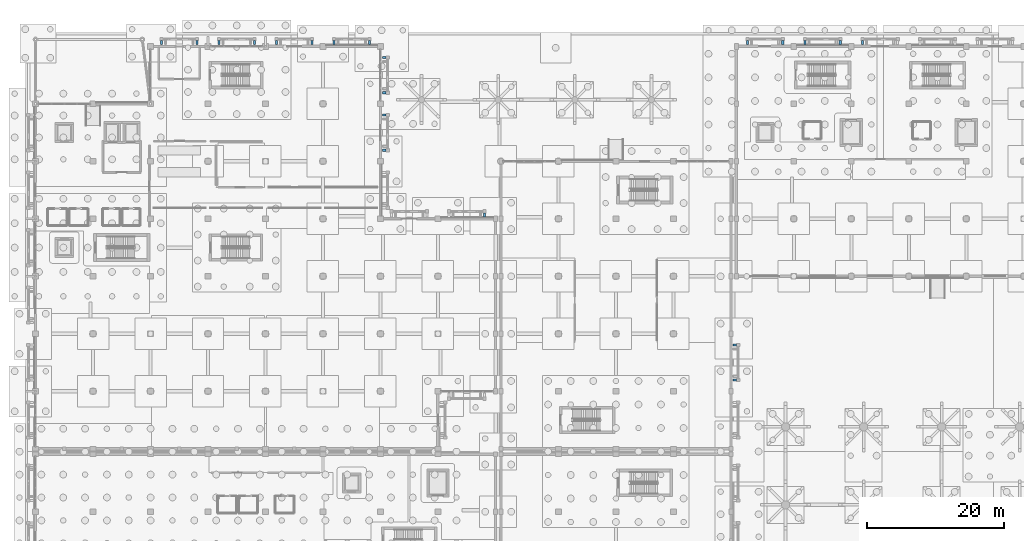
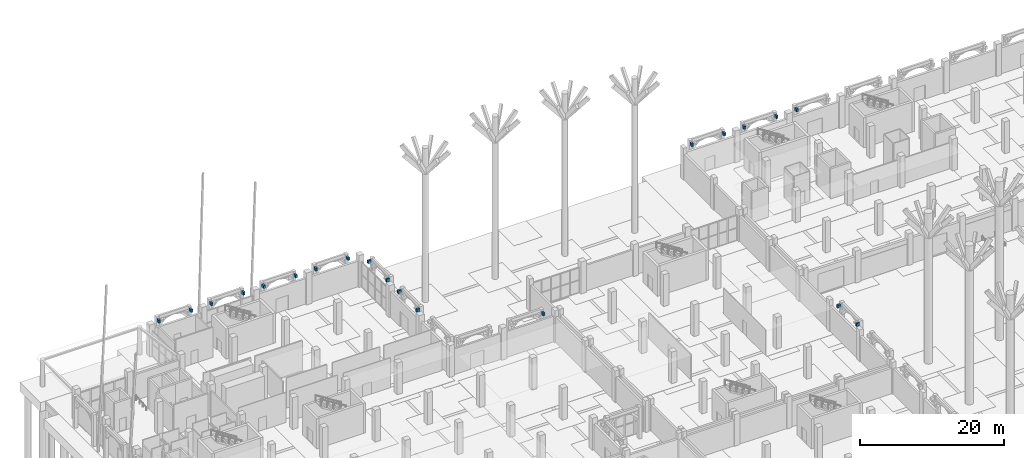
# One storey, part 48 of 98: 20 beams.
"""IFC4 building model written with IfcOpenShell, lengths in metres."""

import ifcopenshell
import ifcopenshell.guid

model = None  # the IFC model being written
_history = None  # IfcOwnerHistory: only IFC2X3 demands one
_inside = {}  # id of a spatial element -> (the spatial element, [elements in it])
_under = {}  # id of a project, library or spatial element -> (it, [spatial elements below it])
_declared = {}  # id of a project -> (the project, [libraries it declares])
_typed = {}  # id of a type object -> (the type object, [elements of that type])
_made_of = {}  # id of a material, layer set ... -> (it, [elements and type objects made of it])


def new_model(schema):
    """Start an empty IFC model of exactly this schema.

    Asked for "IFC4X3", IfcOpenShell would pick the latest addendum, in which some entities
    have other attributes; the version numbers below select the first issue.
    IFC2X3 requires an IfcOwnerHistory on every rooted entity: one is made here for all.
    """
    global model, _history
    if schema == "IFC4X3":
        model = ifcopenshell.file(schema_version=(4, 3, 0, 0))
    else:
        model = ifcopenshell.file(schema=schema)
    _inside.clear()
    _under.clear()
    _declared.clear()
    _typed.clear()
    _made_of.clear()
    _history = None
    if model.schema == "IFC2X3":
        org = make("IfcOrganization", Name="unknown")
        user = make(
            "IfcPersonAndOrganization",
            ThePerson=make("IfcPerson", FamilyName="unknown"),
            TheOrganization=org,
        )
        app = make(
            "IfcApplication",
            ApplicationDeveloper=org,
            Version="unknown",
            ApplicationFullName="unknown",
            ApplicationIdentifier="unknown",
        )
        _history = make(
            "IfcOwnerHistory",
            OwningUser=user,
            OwningApplication=app,
            ChangeAction="ADDED",
            CreationDate=0,
        )
    return model


def make(cls, **values):
    """One entity of the class cls with the attributes given. An attribute that is None is left unset."""
    return model.create_entity(
        cls, **{name: value for name, value in values.items() if value is not None}
    )


def rooted(cls, **values):
    """An entity with a GlobalId (a new one), such as an element, a storey or a relation."""
    return make(cls, GlobalId=ifcopenshell.guid.new(), OwnerHistory=_history, **values)


def si_unit(unit_type, name, prefix=None):
    """IfcSIUnit, for example si_unit("LENGTHUNIT", "METRE", prefix="MILLI")."""
    return make("IfcSIUnit", UnitType=unit_type, Prefix=prefix, Name=name)


def assignment(units):
    """IfcUnitAssignment: the units of a project."""
    return None if units is None else make("IfcUnitAssignment", Units=units)


def point(xyz):
    """IfcCartesianPoint."""
    return None if xyz is None else make("IfcCartesianPoint", Coordinates=xyz)


def direction(xyz):
    """IfcDirection."""
    return None if xyz is None else make("IfcDirection", DirectionRatios=xyz)


def frame(location, z_axis=None, x_axis=None):
    """IfcAxis2Placement3D, a coordinate frame: its origin and axes. An axis left out is left unset."""
    return make(
        "IfcAxis2Placement3D",
        Location=point(location),
        Axis=direction(z_axis),
        RefDirection=direction(x_axis),
    )


def frame_2d(location, x_axis=None):
    """IfcAxis2Placement2D, a coordinate frame in the plane: its origin and x axis."""
    return make(
        "IfcAxis2Placement2D", Location=point(location), RefDirection=direction(x_axis)
    )


def origin():
    """The frame at (0, 0, 0) with its axes left unset."""
    return frame((0.0, 0.0, 0.0))


def origin_2d():
    """The frame at (0, 0) in the plane with its x axis left unset."""
    return frame_2d((0.0, 0.0))


def place(relative_to, where):
    """IfcLocalPlacement: puts the frame where relative to a parent placement (None: the world)."""
    return make(
        "IfcLocalPlacement", PlacementRelTo=relative_to, RelativePlacement=where
    )


def context(
    kind, dimensions, precision=None, world=None, true_north=None, identifier=None
):
    """IfcGeometricRepresentationContext, for example the 3D "Model" context."""
    return make(
        "IfcGeometricRepresentationContext",
        ContextIdentifier=identifier,
        ContextType=kind,
        CoordinateSpaceDimension=dimensions,
        Precision=precision,
        WorldCoordinateSystem=world,
        TrueNorth=true_north,
    )


def subcontext(parent, identifier, kind, view, scale=None):
    """IfcGeometricRepresentationSubContext, for example "Body" below "Model"."""
    return make(
        "IfcGeometricRepresentationSubContext",
        ContextIdentifier=identifier,
        ContextType=kind,
        ParentContext=parent,
        TargetScale=scale,
        TargetView=view,
    )


def project(units=None, contexts=None):
    """IfcProject with its units and contexts."""
    return rooted(
        "IfcProject",
        Name="project",
        RepresentationContexts=contexts,
        UnitsInContext=assignment(units),
    )


def spatial(cls, under=None, at=None, **own):
    """A site, building, storey or space (cls), placed at a placement, below another one or the project."""
    s = rooted(cls, ObjectPlacement=at, **own)
    if under is not None:
        _under.setdefault(under.id(), (under, []))[1].append(s)
    return s


def profile(cls, at=None, kind="AREA", **sizes):
    """A parametric profile (cls). Its sizes go by their IFC names, for example OverallWidth=200.0."""
    return make(cls, ProfileType=kind, Position=at, **sizes)


def rectangle(**sizes):
    """IfcRectangleProfileDef."""
    return profile("IfcRectangleProfileDef", **sizes)


def extrude(swept, where, along, depth):
    """IfcExtrudedAreaSolid: the profile swept, set in the frame where, extruded along a direction by depth."""
    return make(
        "IfcExtrudedAreaSolid",
        SweptArea=swept,
        Position=where,
        ExtrudedDirection=direction(along),
        Depth=depth,
    )


def shape(context_of_items, identifier, shape_type, items):
    """IfcShapeRepresentation: the items that make up one representation, for example the "Body"."""
    return make(
        "IfcShapeRepresentation",
        ContextOfItems=context_of_items,
        RepresentationIdentifier=identifier,
        RepresentationType=shape_type,
        Items=items,
    )


def material(Name=None, Category=None):
    """IfcMaterial."""
    return make("IfcMaterial", Name=Name, Category=Category)


def material_profile(
    of_material, cross_section, Name=None, Category=None, Priority=None
):
    """IfcMaterialProfile: a cross section and its material."""
    return make(
        "IfcMaterialProfile",
        Name=Name,
        Material=of_material,
        Profile=cross_section,
        Priority=Priority,
        Category=Category,
    )


def profile_set(profiles, Name=None, composite=None):
    """IfcMaterialProfileSet."""
    return make(
        "IfcMaterialProfileSet",
        Name=Name,
        MaterialProfiles=profiles,
        CompositeProfile=composite,
    )


def made_of(thing, what):
    """Note that an element or type object is made of a material, layer set ...; save() writes the relation."""
    if what is not None:
        _made_of.setdefault(what.id(), (what, []))[1].append(thing)
    return thing


def type_object(cls, material=None, **own):
    """A type object (cls), such as IfcWallType, which elements share."""
    return made_of(rooted(cls, **own), material)


def element(
    cls,
    number,
    at=None,
    inside=None,
    cuts=None,
    type_object=None,
    material=None,
    context=None,
    identifier="Body",
    shape_type=None,
    held_by="IfcProductDefinitionShape",
    body=None,
    shapes=None,
    **own,
):
    """One element of the class cls, such as IfcWall. Its Tag is "e" and its number.

    at: its placement. inside: the storey or other place that contains it. cuts: it is an
    opening in that element (IfcRelVoidsElement). A single representation is given by context,
    identifier, shape_type and body (its items); several are given by shapes. held_by: the class
    of the entity that holds the representations. save() writes the other relations.
    """
    e = rooted(cls, Tag="e%d" % number, ObjectPlacement=at, **own)
    if body is not None:
        shapes = [shape(context, identifier, shape_type, body)]
    if shapes is not None:
        e.Representation = make(held_by, Representations=shapes)
    if inside is not None:
        _inside.setdefault(inside.id(), (inside, []))[1].append(e)
    if cuts is not None:
        rooted(
            "IfcRelVoidsElement", RelatingBuildingElement=cuts, RelatedOpeningElement=e
        )
    if type_object is not None:
        _typed.setdefault(type_object.id(), (type_object, []))[1].append(e)
    return made_of(e, material)


def aggregate(whole, parts):
    """IfcRelAggregates: a whole, such as a stair, and the parts it consists of."""
    return rooted("IfcRelAggregates", RelatingObject=whole, RelatedObjects=parts)


def save(model, path):
    """Write the relations noted so far, then the file.

    IfcRelAggregates (storeys below a building ...), IfcRelContainedInSpatialStructure (elements
    in a storey), IfcRelDefinesByType, IfcRelAssociatesMaterial and IfcRelDeclares: one each for
    every whole, place, type object, material and project.
    """
    for whole, parts in _under.values():
        aggregate(whole, parts)
    for where, things in _inside.values():
        rooted(
            "IfcRelContainedInSpatialStructure",
            RelatedElements=things,
            RelatingStructure=where,
        )
    for kind, things in _typed.values():
        rooted("IfcRelDefinesByType", RelatedObjects=things, RelatingType=kind)
    for what, things in _made_of.values():
        rooted("IfcRelAssociatesMaterial", RelatedObjects=things, RelatingMaterial=what)
    for by, libraries in _declared.values():
        rooted("IfcRelDeclares", RelatingContext=by, RelatedDefinitions=libraries)
    model.write(path)


model = new_model("IFC4")

# Units and contexts
model_context = context("Model", 3, precision=1e-05, world=origin(), true_north=direction((0.0, 1.0)))
body_context = subcontext(model_context, "Body", "Model", "MODEL_VIEW")
ifc_project = project(units=[si_unit("LENGTHUNIT", "METRE"), si_unit("AREAUNIT", "SQUARE_METRE"), si_unit("VOLUMEUNIT", "CUBIC_METRE"), si_unit("PLANEANGLEUNIT", "RADIAN"), si_unit("MASSUNIT", "GRAM", prefix="KILO")], contexts=[model_context])

# Site, building, storey
site_placement = place(None, origin())
site = spatial("IfcSite", under=ifc_project, at=site_placement, CompositionType="ELEMENT")
building_placement = place(site_placement, origin())
building = spatial("IfcBuilding", under=site, at=building_placement, Name="Xazarin Passage Department Store", CompositionType="ELEMENT")
storey_placement = place(building_placement, origin())
storey = spatial("IfcBuildingStorey", under=building, at=storey_placement, Name="L00", CompositionType="ELEMENT", Elevation=0.0)

# Beams
ifc_material = material(Name="Concrete C35/45", Category="concrete")
ifc_material_profile = material_profile(ifc_material, rectangle(XDim=0.300048828125, YDim=0.5, at=origin_2d()), Name="RC 300x500")
ifc_profile_set = profile_set([ifc_material_profile], Name="Concrete C35/45")
beam_type = type_object("IfcBeamType", Name="STR-BM-LN300x500", PredefinedType="LINTEL", material=ifc_profile_set)
for number, where, z_axis, x_axis, name in (
    (1, (18.419921875, 110.280029296875, 4.85009765625), (0.0, 1.0, 0.0), (-1.0, 0.0, 0.0), "L00 V1 Colonnade Tie Rib 001L"),
    (2, (23.580078125, 110.280029296875, 4.85009765625), (0.0, 1.0, 0.0), (-1.0, 0.0, 0.0), "L00 V1 Colonnade Tie Rib 001R"),
    (3, (26.820068359375, 110.280029296875, 4.85009765625), (0.0, 1.0, 0.0), (-1.0, 0.0, 0.0), "L00 V1 Colonnade Tie Rib 002L"),
    (4, (31.97998046875, 110.280029296875, 4.85009765625), (0.0, 1.0, 0.0), (-1.0, 0.0, 0.0), "L00 V1 Colonnade Tie Rib 002R"),
    (5, (35.219970703125, 110.280029296875, 4.85009765625), (0.0, 1.0, 0.0), (-1.0, 0.0, 0.0), "L00 V1 Colonnade Tie Rib 003L"),
    (6, (40.3798828125, 110.280029296875, 4.85009765625), (0.0, 1.0, 0.0), (-1.0, 0.0, 0.0), "L00 V1 Colonnade Tie Rib 003R"),
    (7, (43.6201171875, 110.280029296875, 4.85009765625), (0.0, 1.0, 0.0), (-1.0, 0.0, 0.0), "L00 V1 Colonnade Tie Rib 004L"),
    (8, (48.780029296875, 110.280029296875, 4.85009765625), (0.0, 1.0, 0.0), (-1.0, 0.0, 0.0), "L00 V1 Colonnade Tie Rib 004R"),
):
    element("IfcBeam", number, at=place(storey_placement, frame(where, z_axis=z_axis, x_axis=x_axis)), inside=storey, type_object=beam_type, Name=name, PredefinedType="LINTEL", context=body_context, shape_type="SweptSolid", body=[
        extrude(rectangle(XDim=0.300048828125, YDim=0.5, at=origin_2d()), origin(), (0.0, 0.0, 1.0), 0.550048828125),
    ])
beam_placement = place(storey_placement, frame((65.580078125, 85.080078125, 4.85009765625), z_axis=(0.0, 1.0, 0.0), x_axis=(-1.0, 0.0, 0.0)))
element("IfcBeam", 9, at=beam_placement, inside=storey, type_object=beam_type, Name="L00 V1 Colonnade Tie Rib 007R", PredefinedType="LINTEL", context=body_context, shape_type="SweptSolid", body=[
    extrude(rectangle(XDim=0.300048828125, YDim=0.5, at=origin_2d()), origin(), (0.0, 0.0, 1.0), 0.5498046875),
])
for number, where, z_axis, x_axis, name in (
    (10, (50.679931640625, 94.820068359375, 4.85009765625), (1.0, 0.0, 0.0), (0.0, 1.0, 0.0), "L00 V1 Colonnade Tie Rib 015L"),
    (11, (50.679931640625, 99.97998046875, 4.85009765625), (1.0, 0.0, 0.0), (0.0, 1.0, 0.0), "L00 V1 Colonnade Tie Rib 015R"),
    (12, (50.679931640625, 103.219970703125, 4.85009765625), (1.0, 0.0, 0.0), (0.0, 1.0, 0.0), "L00 V1 Colonnade Tie Rib 016L"),
    (13, (50.679931640625, 108.3798828125, 4.85009765625), (1.0, 0.0, 0.0), (0.0, 1.0, 0.0), "L00 V1 Colonnade Tie Rib 016R"),
    (14, (101.8798828125, 61.219970703125, 4.85009765625), (1.0, 0.0, 0.0), (0.0, 1.0, 0.0), "L00 V2N Colonnade Tie Rib 025L"),
    (15, (101.8798828125, 66.3798828125, 4.85009765625), (1.0, 0.0, 0.0), (0.0, 1.0, 0.0), "L00 V2N Colonnade Tie Rib 025R"),
    (16, (104.02001953125, 110.280029296875, 4.85009765625), (0.0, 1.0, 0.0), (-1.0, 0.0, 0.0), "L00 V4 Colonnade Tie Rib 040L"),
    (17, (109.179931640625, 110.280029296875, 4.85009765625), (0.0, 1.0, 0.0), (-1.0, 0.0, 0.0), "L00 V4 Colonnade Tie Rib 040R"),
    (18, (112.419921875, 110.280029296875, 4.85009765625), (0.0, 1.0, 0.0), (-1.0, 0.0, 0.0), "L00 V4 Colonnade Tie Rib 041L"),
    (19, (117.580078125, 110.280029296875, 4.85009765625), (0.0, 1.0, 0.0), (-1.0, 0.0, 0.0), "L00 V4 Colonnade Tie Rib 041R"),
    (20, (120.820068359375, 110.280029296875, 4.85009765625), (0.0, 1.0, 0.0), (-1.0, 0.0, 0.0), "L00 V4 Colonnade Tie Rib 042L"),
):
    element("IfcBeam", number, at=place(storey_placement, frame(where, z_axis=z_axis, x_axis=x_axis)), inside=storey, type_object=beam_type, Name=name, PredefinedType="LINTEL", context=body_context, shape_type="SweptSolid", body=[
        extrude(rectangle(XDim=0.300048828125, YDim=0.5, at=origin_2d()), origin(), (0.0, 0.0, 1.0), 0.550048828125),
    ])

save(model, "model.ifc")
